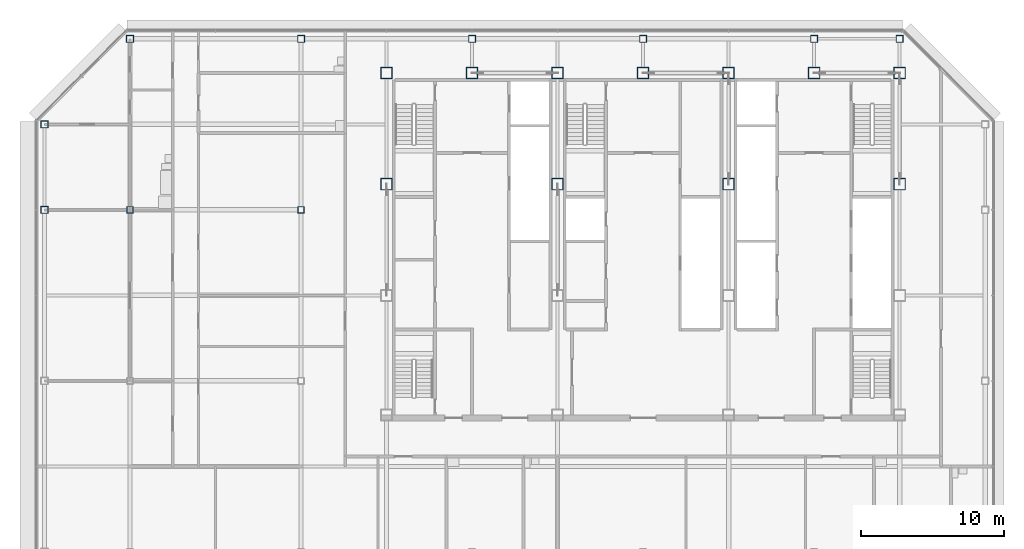
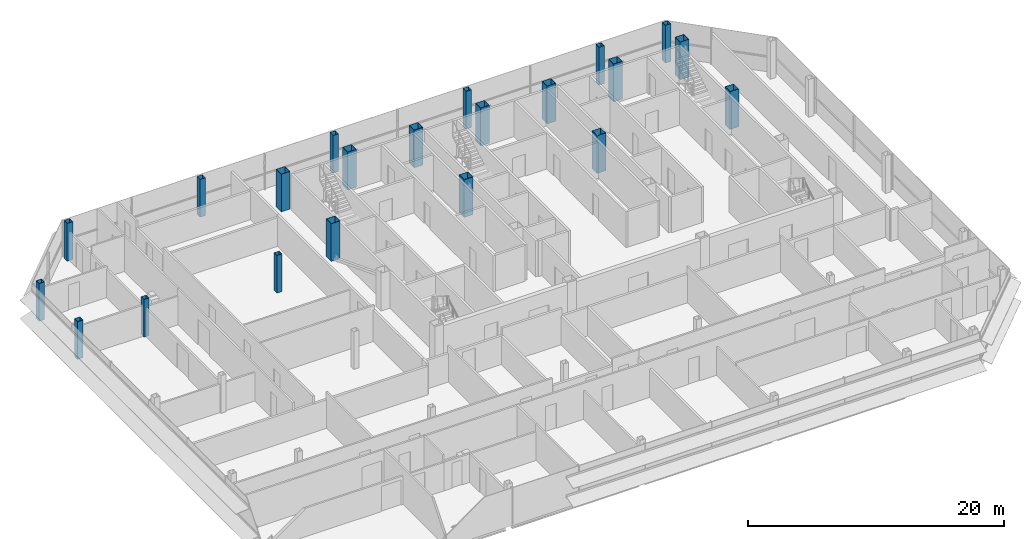
# One storey, part 2 of 27: 21 columns.
"""IFC4 building model written with IfcOpenShell, lengths in metres."""

from ifc_helpers import new_model, si_unit, direction, frame, origin, origin_2d, place, context, subcontext, project, spatial, hollow_rectangle, extrude, material, material_profile, profile_set, type_object, element, save


model = new_model("IFC4")

# Units and contexts
model_context = context("Model", 3, precision=1e-05, world=origin(), true_north=direction((0.0, 1.0)))
body_context = subcontext(model_context, "Body", "Model", "MODEL_VIEW")
ifc_project = project(units=[si_unit("LENGTHUNIT", "METRE"), si_unit("AREAUNIT", "SQUARE_METRE"), si_unit("VOLUMEUNIT", "CUBIC_METRE"), si_unit("PLANEANGLEUNIT", "RADIAN"), si_unit("MASSUNIT", "GRAM", prefix="KILO")], contexts=[model_context])

# Site, building, storey
site_placement = place(None, origin())
site = spatial("IfcSite", under=ifc_project, at=site_placement, CompositionType="ELEMENT")
building_placement = place(site_placement, origin())
building = spatial("IfcBuilding", under=site, at=building_placement, Name="Sorahane Residences", CompositionType="ELEMENT")
storey_placement = place(building_placement, frame((0.0, 0.0, 316.0)))
storey = spatial("IfcBuildingStorey", under=building, at=storey_placement, Name="L75", CompositionType="ELEMENT", Elevation=316.0)

# Columns
ifc_material_1 = material(Name="Steel Q355B", Category="steel")
ifc_material_profile_1 = material_profile(ifc_material_1, hollow_rectangle(XDim=0.449951171875, YDim=0.449951171875, WallThickness=0.02197265625, at=origin_2d()), Name="BOX 450x450x22")
ifc_profile_set_1 = profile_set([ifc_material_profile_1], Name="Steel Q355B")
column_type_1 = type_object("IfcColumnType", Name="Steel box column BOX 450x450x22 Q355B", PredefinedType="COLUMN", material=ifc_profile_set_1)
for number, where, z_axis, x_axis, name in (
    (1, (-12.0, 36.0, 0.0), (0.0, 0.0, 1.0), (1.0, 0.0, 0.0), "Column L75 m12/36"),
    (2, (0.0, 36.0, 0.0), (0.0, 0.0, 1.0), (1.0, 0.0, 0.0), "Column L75 0/36"),
):
    element("IfcColumn", number, at=place(storey_placement, frame(where, z_axis=z_axis, x_axis=x_axis)), inside=storey, type_object=column_type_1, Name=name, PredefinedType="COLUMN", context=body_context, shape_type="SweptSolid", body=[
        extrude(hollow_rectangle(XDim=0.449951171875, YDim=0.449951171875, WallThickness=0.02197265625, at=origin_2d()), origin(), (0.0, 0.0, 1.0), 3.60009765625),
    ])
ifc_material_2 = material(Name="Steel Q355B", Category="steel")
ifc_material_profile_2 = material_profile(ifc_material_2, hollow_rectangle(XDim=0.5, YDim=0.5, WallThickness=0.02490234375, at=origin_2d()), Name="BOX 500x500x25")
ifc_profile_set_2 = profile_set([ifc_material_profile_2], Name="Steel Q355B")
column_type_2 = type_object("IfcColumnType", Name="Steel box column BOX 500x500x25 Q355B", PredefinedType="COLUMN", material=ifc_profile_set_2)
for number, where, z_axis, x_axis, name in (
    (3, (-18.0, 36.0, 0.0), (0.0, 0.0, 1.0), (1.0, 0.0, 0.0), "Column L75 m18/36"),
    (4, (-18.0, 42.0, 0.0), (0.0, 0.0, 1.0), (1.0, 0.0, 0.0), "Column L75 m18/42"),
    (5, (-12.0, 48.0, 0.0), (0.0, 0.0, 1.0), (1.0, 0.0, 0.0), "Column L75 m12/48"),
    (6, (0.0, 48.0, 0.0), (0.0, 0.0, 1.0), (1.0, 0.0, 0.0), "Column L75 0/48"),
    (7, (12.0, 48.0, 0.0), (0.0, 0.0, 1.0), (1.0, 0.0, 0.0), "Column L75 12/48"),
    (8, (24.0, 48.0, 0.0), (0.0, 0.0, 1.0), (1.0, 0.0, 0.0), "Column L75 24/48"),
    (9, (36.0, 48.0, 0.0), (0.0, 0.0, 1.0), (1.0, 0.0, 0.0), "Column L75 36/48"),
    (10, (42.0, 48.0, 0.0), (0.0, 0.0, 1.0), (1.0, 0.0, 0.0), "Column L75 42/48"),
):
    element("IfcColumn", number, at=place(storey_placement, frame(where, z_axis=z_axis, x_axis=x_axis)), inside=storey, type_object=column_type_2, Name=name, PredefinedType="COLUMN", context=body_context, shape_type="SweptSolid", body=[
        extrude(hollow_rectangle(XDim=0.5, YDim=0.5, WallThickness=0.02490234375, at=origin_2d()), origin(), (0.0, 0.0, 1.0), 3.60009765625),
    ])
ifc_material_3 = material(Name="Steel Q355B", Category="steel")
ifc_material_profile_3 = material_profile(ifc_material_3, hollow_rectangle(XDim=0.800048828125, YDim=0.800048828125, WallThickness=0.02490234375, at=origin_2d()), Name="BOX 800x800x25")
ifc_profile_set_3 = profile_set([ifc_material_profile_3], Name="Steel Q355B")
column_type_3 = type_object("IfcColumnType", Name="Steel box column BOX 800x800x25 Q355B", PredefinedType="COLUMN", material=ifc_profile_set_3)
for number, where, z_axis, x_axis, name in (
    (11, (6.0, 37.800048828125, 0.0), (0.0, 0.0, 1.0), (1.0, 0.0, 0.0), "Column L75 6/37.8"),
    (12, (6.0, 45.60009765625, 0.0), (0.0, 0.0, 1.0), (1.0, 0.0, 0.0), "Column L75 6/45.6"),
    (13, (12.0, 45.60009765625, 0.0), (0.0, 0.0, 1.0), (1.0, 0.0, 0.0), "Column L75 12/45.6"),
    (14, (18.0, 37.800048828125, 0.0), (0.0, 0.0, 1.0), (1.0, 0.0, 0.0), "Column L75 18/37.8"),
    (15, (18.0, 45.60009765625, 0.0), (0.0, 0.0, 1.0), (1.0, 0.0, 0.0), "Column L75 18/45.6"),
    (16, (24.0, 45.60009765625, 0.0), (0.0, 0.0, 1.0), (1.0, 0.0, 0.0), "Column L75 24/45.6"),
    (17, (30.0, 37.800048828125, 0.0), (0.0, 0.0, 1.0), (1.0, 0.0, 0.0), "Column L75 30/37.8"),
    (18, (30.0, 45.60009765625, 0.0), (0.0, 0.0, 1.0), (1.0, 0.0, 0.0), "Column L75 30/45.6"),
    (19, (36.0, 45.60009765625, 0.0), (0.0, 0.0, 1.0), (1.0, 0.0, 0.0), "Column L75 36/45.6"),
    (20, (42.0, 37.800048828125, 0.0), (0.0, 0.0, 1.0), (1.0, 0.0, 0.0), "Column L75 42/37.8"),
    (21, (42.0, 45.60009765625, 0.0), (0.0, 0.0, 1.0), (1.0, 0.0, 0.0), "Column L75 42/45.6"),
):
    element("IfcColumn", number, at=place(storey_placement, frame(where, z_axis=z_axis, x_axis=x_axis)), inside=storey, type_object=column_type_3, Name=name, PredefinedType="COLUMN", context=body_context, shape_type="SweptSolid", body=[
        extrude(hollow_rectangle(XDim=0.800048828125, YDim=0.800048828125, WallThickness=0.02490234375, at=origin_2d()), origin(), (0.0, 0.0, 1.0), 3.60009765625),
    ])

save(model, "model.ifc")
